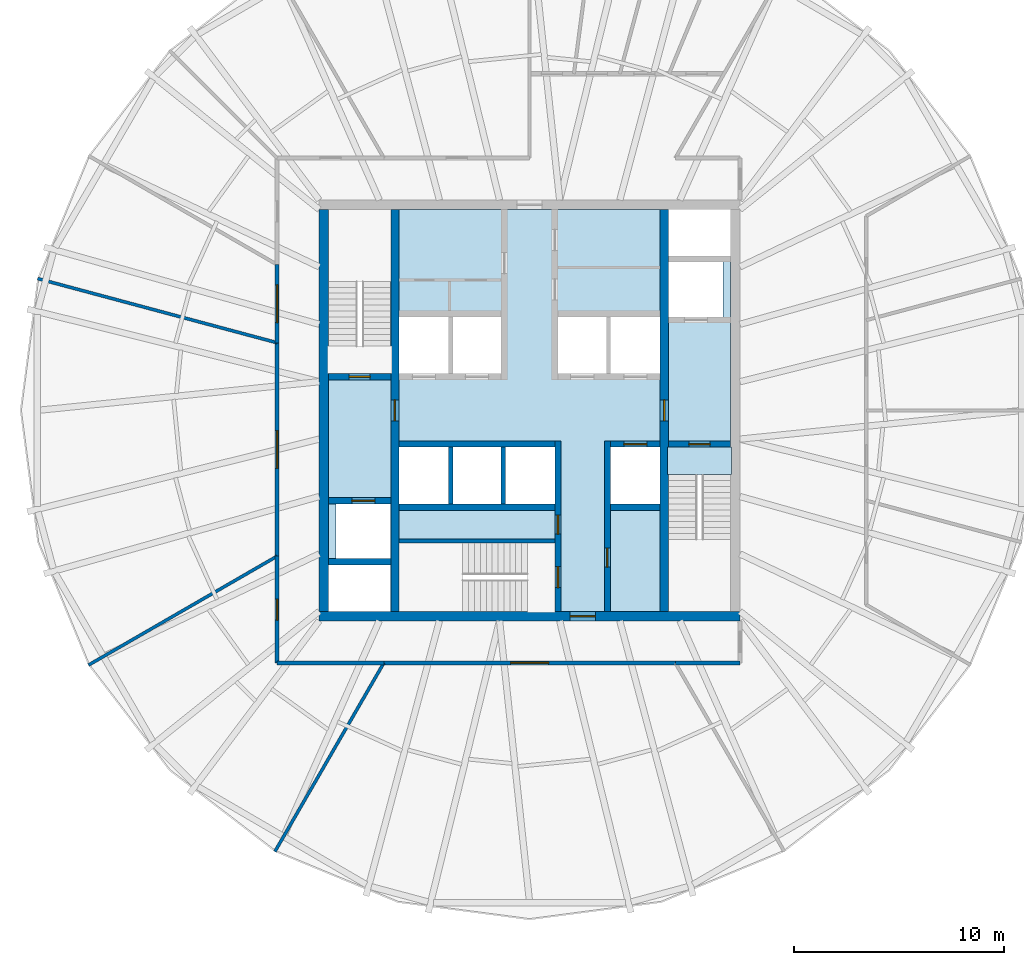
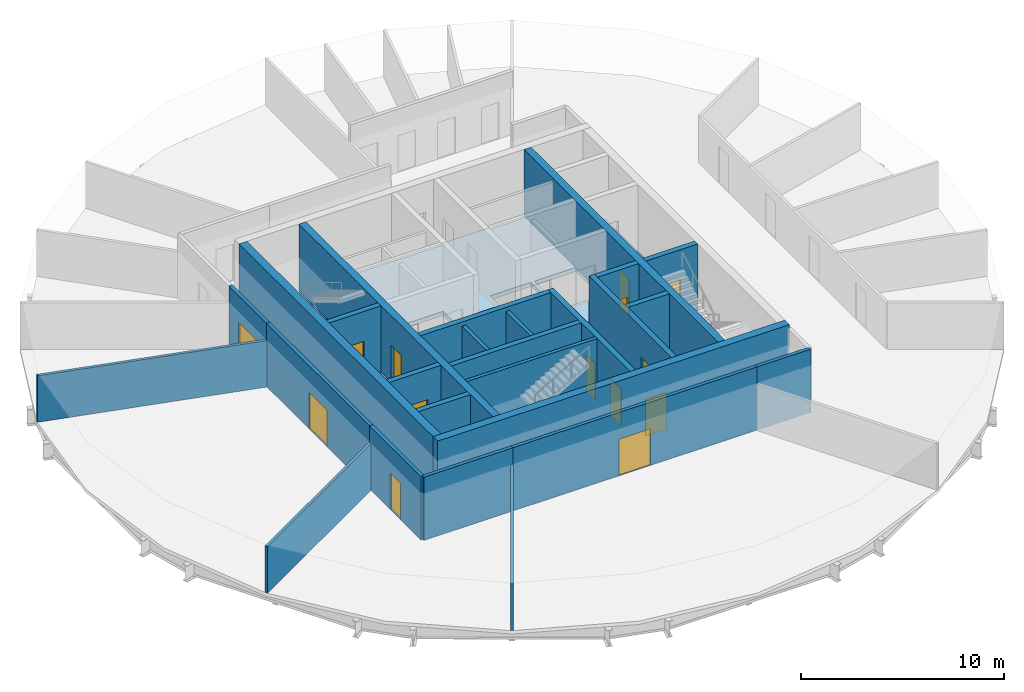
# One storey, part 3 of 6: 26 walls, 14 doors, 2 slabs, 14 openings.
"""IFC4 building model written with IfcOpenShell, lengths in metres."""

from ifc_helpers import new_model, si_unit, direction, frame, frame_2d, origin, place, context, subcontext, project, spatial, polyline, rectangle, outline, extrude, material, layer, layer_set, type_object, element, fill, save


model = new_model("IFC4")

# Units and contexts
model_context = context("Model", 3, precision=1e-05, world=origin(), true_north=direction((0.0, 1.0)))
body_context = subcontext(model_context, "Body", "Model", "MODEL_VIEW")
ifc_project = project(units=[si_unit("LENGTHUNIT", "METRE"), si_unit("AREAUNIT", "SQUARE_METRE"), si_unit("VOLUMEUNIT", "CUBIC_METRE"), si_unit("PLANEANGLEUNIT", "RADIAN"), si_unit("MASSUNIT", "GRAM", prefix="KILO")], contexts=[model_context])

# Site, building, storey
site_placement = place(None, origin())
site = spatial("IfcSite", under=ifc_project, at=site_placement, CompositionType="ELEMENT")
building_placement = place(site_placement, origin())
building = spatial("IfcBuilding", under=site, at=building_placement, Name="Golbaran Civic Tower", CompositionType="ELEMENT")
storey_placement = place(building_placement, frame((0.0, 0.0, 163.0)))
storey = spatial("IfcBuildingStorey", under=building, at=storey_placement, Name="L39", CompositionType="ELEMENT", Elevation=163.0)

# Slabs
ifc_material_1 = material(Name="Concrete C35/45", Category="concrete")
ifc_layer_1 = layer(ifc_material_1, 0.25, Name="Concrete C35/45")
ifc_layer_set_1 = layer_set([ifc_layer_1], Name="Concrete C35/45")
slab_type_1 = type_object("IfcSlabType", Name="CORE FLOOR SLAB 250", PredefinedType="FLOOR", material=ifc_layer_set_1)
slab_1_placement = place(storey_placement, frame((0.0, 0.0, -0.25)))
element("IfcSlab", 1, at=slab_1_placement, inside=storey, type_object=slab_type_1, Name="Core floor slab L39", PredefinedType="FLOOR", context=body_context, shape_type="SweptSolid", body=[
    extrude(outline(polyline([(6.60009765625, -1.75), (6.60009765625, -9.550048828125), (1.199951171875, -9.550048828125), (1.199951171875, -6.300048828125), (-6.199951171875, -6.300048828125), (-6.199951171875, -9.550048828125), (-6.60009765625, -9.550048828125), (-6.60009765625, -7.35009765625), (-9.550048828125, -7.35009765625), (-9.550048828125, 1.75), (-6.60009765625, 1.75), (-6.60009765625, 9.550048828125), (6.60009765625, 9.550048828125), (6.60009765625, 7.35009765625), (9.550048828125, 7.35009765625), (9.550048828125, -1.75), (6.60009765625, -1.75)]), holes=[polyline([(9.199951171875, 7.050048828125), (6.60009765625, 7.050048828125), (6.60009765625, 4.449951171875), (9.199951171875, 4.449951171875), (9.199951171875, 7.050048828125)]), polyline([(6.199951171875, -1.75), (3.85009765625, -1.75), (3.85009765625, -4.449951171875), (6.199951171875, -4.449951171875), (6.199951171875, -1.75)]), polyline([(6.199951171875, 4.449951171875), (3.85009765625, 4.449951171875), (3.85009765625, 1.75), (6.199951171875, 1.75), (6.199951171875, 4.449951171875)]), polyline([(3.64990234375, 4.449951171875), (1.35009765625, 4.449951171875), (1.35009765625, 1.75), (3.64990234375, 1.75), (3.64990234375, 4.449951171875)]), polyline([(1.199951171875, -1.75), (-1.14990234375, -1.75), (-1.14990234375, -4.449951171875), (1.199951171875, -4.449951171875), (1.199951171875, -1.75)]), polyline([(-1.35009765625, 4.449951171875), (-3.64990234375, 4.449951171875), (-3.64990234375, 1.75), (-1.35009765625, 1.75), (-1.35009765625, 4.449951171875)]), polyline([(-1.35009765625, -1.75), (-3.64990234375, -1.75), (-3.64990234375, -4.449951171875), (-1.35009765625, -4.449951171875), (-1.35009765625, -1.75)]), polyline([(-3.85009765625, -1.75), (-6.199951171875, -1.75), (-6.199951171875, -4.449951171875), (-3.85009765625, -4.449951171875), (-3.85009765625, -1.75)]), polyline([(-3.85009765625, 4.449951171875), (-6.199951171875, 4.449951171875), (-6.199951171875, 1.75), (-3.85009765625, 1.75), (-3.85009765625, 4.449951171875)]), polyline([(-6.60009765625, -4.449951171875), (-9.199951171875, -4.449951171875), (-9.199951171875, -7.050048828125), (-6.60009765625, -7.050048828125), (-6.60009765625, -4.449951171875)])]), origin(), (0.0, 0.0, 1.0), 0.25),
])
ifc_layer_2 = layer(ifc_material_1, 0.199951171875, Name="Concrete C35/45")
ifc_layer_set_2 = layer_set([ifc_layer_2], Name="Concrete C35/45")
slab_type_2 = type_object("IfcSlabType", Name="STAIR LANDING 200", PredefinedType="LANDING", material=ifc_layer_set_2)
slab_2_placement = place(storey_placement, frame((0.0, 0.0, -0.199951171875)))
element("IfcSlab", 2, at=slab_2_placement, inside=storey, type_object=slab_type_2, Name="Stair S2 floor landing L39", PredefinedType="LANDING", context=body_context, shape_type="SweptSolid", body=[
    extrude(outline(polyline([(9.60009765625, -1.75), (9.60009765625, -3.054931640625), (6.550048828125, -3.054931640625), (6.550048828125, -1.75), (9.60009765625, -1.75)])), origin(), (0.0, 0.0, 1.0), 0.199951171875),
])

# Wall, opening, door
ifc_material_2 = material(Name="Concrete C50/60", Category="concrete")
ifc_layer_3 = layer(ifc_material_2, 0.39990234375, Name="Concrete C50/60")
ifc_layer_set_3 = layer_set([ifc_layer_3], Name="Concrete C50/60")
wall_type_1 = type_object("IfcWallType", Name="CORE WALL CONCRETE 400", PredefinedType="SOLIDWALL", material=ifc_layer_set_3)
wall_1_placement = place(storey_placement, frame((-6.39990234375, -9.550048828125, 0.0), z_axis=(0.0, 0.0, 1.0), x_axis=(0.0, 1.0, 0.0)))
wall_1 = element("IfcWall", 3, at=wall_1_placement, inside=storey, type_object=wall_type_1, Name="Core wall IW L39", PredefinedType="SOLIDWALL", context=body_context, shape_type="SweptSolid", body=[
    extrude(rectangle(XDim=19.10009765625, YDim=0.39990234375, at=frame_2d((9.550048828125, 0.0))), origin(), (0.0, 0.0, 1.0), 4.0),
])
opening_1_placement = place(wall_1_placement, frame((9.050048828125, 0.0, 0.0)))
opening_1 = element("IfcOpeningElement", 4, at=opening_1_placement, cuts=wall_1, Name="Opening L39.FL1", PredefinedType="OPENING", context=body_context, shape_type="SweptSolid", body=[
    extrude(rectangle(XDim=1.0, YDim=2.199951171875, at=frame_2d((0.5, 1.10009765625))), frame((0.0, 0.2099609375, 0.0), z_axis=(0.0, -1.0, 0.0), x_axis=(1.0, 0.0, 0.0)), (0.0, 0.0, 1.0), 0.419921875),
])
ifc_material_3 = material(Name="Timber door set in steel frame", Category="steel")
door_type_1 = type_object("IfcDoorType", Name="STAIR DOOR 1000x2200", OperationType="SINGLE_SWING_LEFT", PredefinedType="DOOR", material=ifc_material_3)
door_1_placement = place(opening_1_placement, origin())
door_1 = element("IfcDoor", 5, at=door_1_placement, inside=storey, type_object=door_type_1, Name="Fire-fighting lobby FL1 door", OperationType="SINGLE_SWING_LEFT", OverallHeight=2.199951171875, OverallWidth=1.0, PredefinedType="DOOR", context=body_context, shape_type="SweptSolid", body=[
    extrude(rectangle(XDim=1.0, YDim=2.199951171875, at=frame_2d((0.5, 1.10009765625))), frame((0.0, 0.02490234375, 0.0), z_axis=(0.0, -1.0, 0.0), x_axis=(1.0, 0.0, 0.0)), (0.0, 0.0, 1.0), 0.050048828125),
])
fill(opening_1, door_1)

wall_2_placement = place(storey_placement, frame((6.39990234375, 9.550048828125, 0.0), z_axis=(0.0, 0.0, 1.0), x_axis=(0.0, -1.0, 0.0)))
wall_2 = element("IfcWall", 6, at=wall_2_placement, inside=storey, type_object=wall_type_1, Name="Core wall IE L39", PredefinedType="SOLIDWALL", context=body_context, shape_type="SweptSolid", body=[
    extrude(rectangle(XDim=19.10009765625, YDim=0.39990234375, at=frame_2d((9.550048828125, 0.0))), origin(), (0.0, 0.0, 1.0), 4.0),
])
opening_2_placement = place(wall_2_placement, frame((9.050048828125, 0.0, 0.0)))
opening_2 = element("IfcOpeningElement", 7, at=opening_2_placement, cuts=wall_2, Name="Opening L39.FL2", PredefinedType="OPENING", context=body_context, shape_type="SweptSolid", body=[
    extrude(rectangle(XDim=1.0, YDim=2.199951171875, at=frame_2d((0.5, 1.10009765625))), frame((0.0, 0.2099609375, 0.0), z_axis=(0.0, -1.0, 0.0), x_axis=(1.0, 0.0, 0.0)), (0.0, 0.0, 1.0), 0.419921875),
])
door_2_placement = place(opening_2_placement, origin())
door_2 = element("IfcDoor", 8, at=door_2_placement, inside=storey, type_object=door_type_1, Name="Fire-fighting lobby FL2 door", OperationType="SINGLE_SWING_RIGHT", OverallHeight=2.199951171875, OverallWidth=1.0, PredefinedType="DOOR", context=body_context, shape_type="SweptSolid", body=[
    extrude(rectangle(XDim=1.0, YDim=2.199951171875, at=frame_2d((0.5, 1.10009765625))), frame((0.0, 0.02490234375, 0.0), z_axis=(0.0, -1.0, 0.0), x_axis=(1.0, 0.0, 0.0)), (0.0, 0.0, 1.0), 0.050048828125),
])
fill(opening_2, door_2)

ifc_layer_4 = layer(ifc_material_2, 0.449951171875, Name="Concrete C50/60")
ifc_layer_set_4 = layer_set([ifc_layer_4], Name="Concrete C50/60")
wall_type_2 = type_object("IfcWallType", Name="CORE WALL CONCRETE 450", PredefinedType="SOLIDWALL", material=ifc_layer_set_4)
wall_3_placement = place(storey_placement, frame((10.0, -9.77490234375, 0.0), z_axis=(0.0, 0.0, 1.0), x_axis=(-1.0, 0.0, 0.0)))
wall_3 = element("IfcWall", 9, at=wall_3_placement, inside=storey, type_object=wall_type_2, Name="Core wall CS L39", PredefinedType="SOLIDWALL", context=body_context, shape_type="SweptSolid", body=[
    extrude(rectangle(XDim=20.0, YDim=0.449951171875, at=frame_2d((10.0, 0.0))), origin(), (0.0, 0.0, 1.0), 4.0),
])
opening_3_placement = place(wall_3_placement, frame((6.875, 0.0, 0.0)))
opening_3 = element("IfcOpeningElement", 10, at=opening_3_placement, cuts=wall_3, Name="Opening L39.CS", PredefinedType="OPENING", context=body_context, shape_type="SweptSolid", body=[
    extrude(rectangle(XDim=1.199951171875, YDim=2.199951171875, at=frame_2d((0.60009765625, 1.10009765625))), frame((0.0, 0.23486328125, 0.0), z_axis=(0.0, -1.0, 0.0), x_axis=(1.0, 0.0, 0.0)), (0.0, 0.0, 1.0), 0.469970703125),
])
door_type_2 = type_object("IfcDoorType", Name="CORE DOOR 1200x2200", OperationType="DOUBLE_DOOR_SINGLE_SWING", PredefinedType="DOOR", material=ifc_material_3)
door_3_placement = place(opening_3_placement, origin())
door_3 = element("IfcDoor", 11, at=door_3_placement, inside=storey, type_object=door_type_2, Name="Core door south", OperationType="DOUBLE_DOOR_SINGLE_SWING", OverallHeight=2.199951171875, OverallWidth=1.199951171875, PredefinedType="DOOR", context=body_context, shape_type="SweptSolid", body=[
    extrude(rectangle(XDim=1.199951171875, YDim=2.199951171875, at=frame_2d((0.60009765625, 1.10009765625))), frame((0.0, 0.02490234375, 0.0), z_axis=(0.0, -1.0, 0.0), x_axis=(1.0, 0.0, 0.0)), (0.0, 0.0, 1.0), 0.050048828125),
])
fill(opening_3, door_3)

# Wall
wall_4_placement = place(storey_placement, frame((-9.77490234375, 9.550048828125, 0.0), z_axis=(0.0, 0.0, 1.0), x_axis=(0.0, -1.0, 0.0)))
element("IfcWall", 12, at=wall_4_placement, inside=storey, type_object=wall_type_2, Name="Core wall CW L39", PredefinedType="SOLIDWALL", context=body_context, shape_type="SweptSolid", body=[
    extrude(rectangle(XDim=19.10009765625, YDim=0.449951171875, at=frame_2d((9.550048828125, 0.0))), origin(), (0.0, 0.0, 1.0), 4.0),
])

# Wall, opening, door
ifc_material_4 = material(Name="Gypsum board on steel studs, fire-rated", Category="steel")
ifc_layer_5 = layer(ifc_material_4, 0.199951171875, Name="Gypsum board on steel studs, fire-rated")
ifc_layer_set_5 = layer_set([ifc_layer_5], Name="Gypsum board on steel studs, fire-rated")
wall_type_3 = type_object("IfcWallType", Name="CORRIDOR WALL 200", PredefinedType="PARTITIONING", material=ifc_layer_set_5)
wall_5_placement = place(storey_placement, frame((-12.0, 6.92822265625, 0.0), z_axis=(0.0, 0.0, 1.0), x_axis=(0.0, -1.0, 0.0)))
wall_5 = element("IfcWall", 13, at=wall_5_placement, inside=storey, type_object=wall_type_3, Name="Corridor wall L39", PredefinedType="PARTITIONING", context=body_context, shape_type="SweptSolid", body=[
    extrude(rectangle(XDim=3.712890625, YDim=0.199951171875, at=frame_2d((1.8564453125, 0.0))), origin(), (0.0, 0.0, 1.0), 3.800048828125),
])
opening_4_placement = place(wall_5_placement, frame((0.956298828125, 0.0, 0.0)))
opening_4 = element("IfcOpeningElement", 14, at=opening_4_placement, cuts=wall_5, Name="Opening L39.12", PredefinedType="OPENING", context=body_context, shape_type="SweptSolid", body=[
    extrude(rectangle(XDim=1.800048828125, YDim=2.199951171875, at=frame_2d((0.89990234375, 1.10009765625))), frame((0.0, 0.10986328125, 0.0), z_axis=(0.0, -1.0, 0.0), x_axis=(1.0, 0.0, 0.0)), (0.0, 0.0, 1.0), 0.219970703125),
])
door_type_3 = type_object("IfcDoorType", Name="OFFICE DOUBLE DOOR 1800x2200", OperationType="DOUBLE_DOOR_SINGLE_SWING", PredefinedType="DOOR", material=ifc_material_3)
door_4_placement = place(opening_4_placement, origin())
door_4 = element("IfcDoor", 15, at=door_4_placement, inside=storey, type_object=door_type_3, Name="GIS and Mapping Office door L39", OperationType="DOUBLE_DOOR_SINGLE_SWING", OverallHeight=2.199951171875, OverallWidth=1.800048828125, PredefinedType="DOOR", context=body_context, shape_type="SweptSolid", body=[
    extrude(rectangle(XDim=1.800048828125, YDim=2.199951171875, at=frame_2d((0.89990234375, 1.10009765625))), frame((0.0, 0.02490234375, 0.0), z_axis=(0.0, -1.0, 0.0), x_axis=(1.0, 0.0, 0.0)), (0.0, 0.0, 1.0), 0.050048828125),
])
fill(opening_4, door_4)

wall_6_placement = place(storey_placement, frame((-12.0, 3.21533203125, 0.0), z_axis=(0.0, 0.0, 1.0), x_axis=(0.0, -1.0, 0.0)))
wall_6 = element("IfcWall", 16, at=wall_6_placement, inside=storey, type_object=wall_type_3, Name="Corridor wall L39", PredefinedType="PARTITIONING", context=body_context, shape_type="SweptSolid", body=[
    extrude(rectangle(XDim=10.1435546875, YDim=0.199951171875, at=frame_2d((5.07177734375, 0.0))), origin(), (0.0, 0.0, 1.0), 3.800048828125),
])
opening_5_placement = place(wall_6_placement, frame((4.171875, 0.0, 0.0)))
opening_5 = element("IfcOpeningElement", 17, at=opening_5_placement, cuts=wall_6, Name="Opening L39.13", PredefinedType="OPENING", context=body_context, shape_type="SweptSolid", body=[
    extrude(rectangle(XDim=1.800048828125, YDim=2.199951171875, at=frame_2d((0.89990234375, 1.10009765625))), frame((0.0, 0.10986328125, 0.0), z_axis=(0.0, -1.0, 0.0), x_axis=(1.0, 0.0, 0.0)), (0.0, 0.0, 1.0), 0.219970703125),
])
door_5_placement = place(opening_5_placement, origin())
door_5 = element("IfcDoor", 18, at=door_5_placement, inside=storey, type_object=door_type_3, Name="GIS and Mapping Office door L39", OperationType="DOUBLE_DOOR_SINGLE_SWING", OverallHeight=2.199951171875, OverallWidth=1.800048828125, PredefinedType="DOOR", context=body_context, shape_type="SweptSolid", body=[
    extrude(rectangle(XDim=1.800048828125, YDim=2.199951171875, at=frame_2d((0.89990234375, 1.10009765625))), frame((0.0, 0.02490234375, 0.0), z_axis=(0.0, -1.0, 0.0), x_axis=(1.0, 0.0, 0.0)), (0.0, 0.0, 1.0), 0.050048828125),
])
fill(opening_5, door_5)

wall_7_placement = place(storey_placement, frame((-12.0, -6.92822265625, 0.0), z_axis=(0.0, 0.0, 1.0), x_axis=(0.0, -1.0, 0.0)))
wall_7 = element("IfcWall", 19, at=wall_7_placement, inside=storey, type_object=wall_type_3, Name="Corridor wall L39", PredefinedType="PARTITIONING", context=body_context, shape_type="SweptSolid", body=[
    extrude(rectangle(XDim=5.07177734375, YDim=0.199951171875, at=frame_2d((2.535888671875, 0.0))), origin(), (0.0, 0.0, 1.0), 3.800048828125),
])
opening_6_placement = place(wall_7_placement, frame((2.035888671875, 0.0, 0.0)))
opening_6 = element("IfcOpeningElement", 20, at=opening_6_placement, cuts=wall_7, Name="Opening L39.14", PredefinedType="OPENING", context=body_context, shape_type="SweptSolid", body=[
    extrude(rectangle(XDim=1.0, YDim=2.199951171875, at=frame_2d((0.5, 1.10009765625))), frame((0.0, 0.10986328125, 0.0), z_axis=(0.0, -1.0, 0.0), x_axis=(1.0, 0.0, 0.0)), (0.0, 0.0, 1.0), 0.219970703125),
])
door_type_4 = type_object("IfcDoorType", Name="OFFICE DOOR 1000x2200", OperationType="SINGLE_SWING_LEFT", PredefinedType="DOOR", material=ifc_material_3)
door_6_placement = place(opening_6_placement, origin())
door_6 = element("IfcDoor", 21, at=door_6_placement, inside=storey, type_object=door_type_4, Name="Project Room door L39", OperationType="SINGLE_SWING_RIGHT", OverallHeight=2.199951171875, OverallWidth=1.0, PredefinedType="DOOR", context=body_context, shape_type="SweptSolid", body=[
    extrude(rectangle(XDim=1.0, YDim=2.199951171875, at=frame_2d((0.5, 1.10009765625))), frame((0.0, 0.02490234375, 0.0), z_axis=(0.0, -1.0, 0.0), x_axis=(1.0, 0.0, 0.0)), (0.0, 0.0, 1.0), 0.050048828125),
])
fill(opening_6, door_6)

# Wall
wall_8_placement = place(storey_placement, frame((-12.0, -12.0, 0.0), z_axis=(0.0, 0.0, 1.0), x_axis=(1.0, 0.0, 0.0)))
element("IfcWall", 22, at=wall_8_placement, inside=storey, type_object=wall_type_3, Name="Corridor wall L39", PredefinedType="PARTITIONING", context=body_context, shape_type="SweptSolid", body=[
    extrude(rectangle(XDim=5.07177734375, YDim=0.199951171875, at=frame_2d((2.535888671875, 0.0))), origin(), (0.0, 0.0, 1.0), 3.800048828125),
])

# Wall, opening, door
wall_9_placement = place(storey_placement, frame((-6.92822265625, -12.0, 0.0), z_axis=(0.0, 0.0, 1.0), x_axis=(1.0, 0.0, 0.0)))
wall_9 = element("IfcWall", 23, at=wall_9_placement, inside=storey, type_object=wall_type_3, Name="Corridor wall L39", PredefinedType="PARTITIONING", context=body_context, shape_type="SweptSolid", body=[
    extrude(rectangle(XDim=13.8564453125, YDim=0.199951171875, at=frame_2d((6.92822265625, 0.0))), origin(), (0.0, 0.0, 1.0), 3.800048828125),
])
opening_7_placement = place(wall_9_placement, frame((6.0283203125, 0.0, 0.0)))
opening_7 = element("IfcOpeningElement", 24, at=opening_7_placement, cuts=wall_9, Name="Opening L39.15", PredefinedType="OPENING", context=body_context, shape_type="SweptSolid", body=[
    extrude(rectangle(XDim=1.800048828125, YDim=2.199951171875, at=frame_2d((0.89990234375, 1.10009765625))), frame((0.0, 0.10986328125, 0.0), z_axis=(0.0, -1.0, 0.0), x_axis=(1.0, 0.0, 0.0)), (0.0, 0.0, 1.0), 0.219970703125),
])
door_7_placement = place(opening_7_placement, origin())
door_7 = element("IfcDoor", 25, at=door_7_placement, inside=storey, type_object=door_type_3, Name="Project Room door L39", OperationType="DOUBLE_DOOR_SINGLE_SWING", OverallHeight=2.199951171875, OverallWidth=1.800048828125, PredefinedType="DOOR", context=body_context, shape_type="SweptSolid", body=[
    extrude(rectangle(XDim=1.800048828125, YDim=2.199951171875, at=frame_2d((0.89990234375, 1.10009765625))), frame((0.0, 0.02490234375, 0.0), z_axis=(0.0, -1.0, 0.0), x_axis=(1.0, 0.0, 0.0)), (0.0, 0.0, 1.0), 0.050048828125),
])
fill(opening_7, door_7)

# Walls
wall_10_placement = place(storey_placement, frame((6.92822265625, -12.0, 0.0), z_axis=(0.0, 0.0, 1.0), x_axis=(1.0, 0.0, 0.0)))
element("IfcWall", 26, at=wall_10_placement, inside=storey, type_object=wall_type_3, Name="Corridor wall L39", PredefinedType="PARTITIONING", context=body_context, shape_type="SweptSolid", body=[
    extrude(rectangle(XDim=3.07177734375, YDim=0.199951171875, at=frame_2d((1.535888671875, 0.0))), origin(), (0.0, 0.0, 1.0), 3.800048828125),
])
ifc_material_5 = material(Name="Concrete block", Category="concrete")
ifc_layer_6 = layer(ifc_material_5, 0.199951171875, Name="Concrete block")
ifc_layer_set_6 = layer_set([ifc_layer_6], Name="Concrete block")
wall_type_4 = type_object("IfcWallType", Name="LIFT SEPARATOR WALL 200", PredefinedType="SOLIDWALL", material=ifc_layer_set_6)
for number, where, z_axis, x_axis, name in (
    (27, (-3.75, -1.75, 0.0), (0.0, 0.0, 1.0), (0.0, -1.0, 0.0), "Core partition SSW L39"),
    (28, (-1.25, -1.75, 0.0), (0.0, 0.0, 1.0), (0.0, -1.0, 0.0), "Core partition SSM L39"),
):
    element("IfcWall", number, at=place(storey_placement, frame(where, z_axis=z_axis, x_axis=x_axis)), inside=storey, type_object=wall_type_4, Name=name, PredefinedType="SOLIDWALL", context=body_context, shape_type="SweptSolid", body=[
        extrude(rectangle(XDim=2.699951171875, YDim=0.199951171875, at=frame_2d((1.35009765625, 0.0))), origin(), (0.0, 0.0, 1.0), 3.75),
    ])
ifc_material_6 = material(Name="Gypsum board on steel studs", Category="steel")
ifc_layer_7 = layer(ifc_material_6, 0.14990234375, Name="Gypsum board on steel studs")
ifc_layer_set_7 = layer_set([ifc_layer_7], Name="Gypsum board on steel studs")
wall_type_5 = type_object("IfcWallType", Name="OFFICE PARTITION 150", PredefinedType="PARTITIONING", material=ifc_layer_set_7)
wall_11_placement = place(storey_placement, frame((-12.0, 3.21533203125, 0.0), z_axis=(0.0, 0.0, 1.0), x_axis=(-0.965923829901, 0.25882649561, 0.0)))
element("IfcWall", 29, at=wall_11_placement, inside=storey, type_object=wall_type_5, Name="Partition 165 L39", PredefinedType="PARTITIONING", context=body_context, shape_type="SweptSolid", body=[
    extrude(rectangle(XDim=11.787841796875, YDim=0.14990234375, at=frame_2d((5.89404296875, 0.0))), origin(), (0.0, 0.0, 1.0), 2.7900390625),
])
for number, where, z_axis, x_axis, name in (
    (30, (-12.0, -6.92822265625, 0.0), (0.0, 0.0, 1.0), (-0.86602185845, -0.500006140648, 0.0), "Partition 210 L39"),
    (31, (-6.92822265625, -12.0, 0.0), (0.0, 0.0, 1.0), (-0.500006140648, -0.86602185845, 0.0), "Partition 240 L39"),
):
    element("IfcWall", number, at=place(storey_placement, frame(where, z_axis=z_axis, x_axis=x_axis)), inside=storey, type_object=wall_type_5, Name=name, PredefinedType="PARTITIONING", context=body_context, shape_type="SweptSolid", body=[
        extrude(rectangle(XDim=10.354736328125, YDim=0.14990234375, at=frame_2d((5.17724609375, 0.0))), origin(), (0.0, 0.0, 1.0), 2.7900390625),
    ])
ifc_layer_8 = layer(ifc_material_2, 0.199951171875, Name="Concrete C50/60")
ifc_layer_set_8 = layer_set([ifc_layer_8], Name="Concrete C50/60")
wall_type_6 = type_object("IfcWallType", Name="SHAFT WALL CONCRETE 200", PredefinedType="SOLIDWALL", material=ifc_layer_set_8)
wall_12_placement = place(storey_placement, frame((-6.199951171875, -6.199951171875, 0.0), z_axis=(0.0, 0.0, 1.0), x_axis=(1.0, 0.0, 0.0)))
element("IfcWall", 32, at=wall_12_placement, inside=storey, type_object=wall_type_6, Name="Core wall S3N L39", PredefinedType="SOLIDWALL", context=body_context, shape_type="SweptSolid", body=[
    extrude(rectangle(XDim=7.39990234375, YDim=0.199951171875, at=frame_2d((3.699951171875, 0.0))), origin(), (0.0, 0.0, 1.0), 4.0),
])
ifc_layer_9 = layer(ifc_material_2, 0.300048828125, Name="Concrete C50/60")
ifc_layer_set_9 = layer_set([ifc_layer_9], Name="Concrete C50/60")
wall_type_7 = type_object("IfcWallType", Name="SHAFT WALL CONCRETE 300", PredefinedType="SOLIDWALL", material=ifc_layer_set_9)
wall_13_placement = place(storey_placement, frame((-6.199951171875, -1.60009765625, 0.0), z_axis=(0.0, 0.0, 1.0), x_axis=(1.0, 0.0, 0.0)))
element("IfcWall", 33, at=wall_13_placement, inside=storey, type_object=wall_type_7, Name="Core wall FSW L39", PredefinedType="SOLIDWALL", context=body_context, shape_type="SweptSolid", body=[
    extrude(rectangle(XDim=7.39990234375, YDim=0.300048828125, at=frame_2d((3.699951171875, 0.0))), origin(), (0.0, 0.0, 1.0), 4.0),
])

# Wall, opening, door
wall_14_placement = place(storey_placement, frame((3.85009765625, -1.60009765625, 0.0), z_axis=(0.0, 0.0, 1.0), x_axis=(1.0, 0.0, 0.0)))
wall_14 = element("IfcWall", 34, at=wall_14_placement, inside=storey, type_object=wall_type_7, Name="Core wall FSE L39", PredefinedType="SOLIDWALL", context=body_context, shape_type="SweptSolid", body=[
    extrude(rectangle(XDim=2.349853515625, YDim=0.300048828125, at=frame_2d((1.1748046875, 0.0))), origin(), (0.0, 0.0, 1.0), 4.0),
])
opening_8_placement = place(wall_14_placement, frame((0.625, 0.0, 0.0)))
opening_8 = element("IfcOpeningElement", 35, at=opening_8_placement, cuts=wall_14, Name="Opening L39.LD-V1", PredefinedType="OPENING", context=body_context, shape_type="SweptSolid", body=[
    extrude(rectangle(XDim=1.10009765625, YDim=2.199951171875, at=frame_2d((0.550048828125, 1.10009765625))), frame((0.0, 0.159912109375, 0.0), z_axis=(0.0, -1.0, 0.0), x_axis=(1.0, 0.0, 0.0)), (0.0, 0.0, 1.0), 0.320068359375),
])
ifc_material_7 = material(Name="Stainless steel", Category="steel")
door_type_5 = type_object("IfcDoorType", Name="LIFT LANDING DOOR 1100x2200", OperationType="SLIDING_TO_LEFT", PredefinedType="DOOR", material=ifc_material_7)
door_8_placement = place(opening_8_placement, origin())
door_8 = element("IfcDoor", 36, at=door_8_placement, inside=storey, type_object=door_type_5, Name="Lift landing door V1", OperationType="SLIDING_TO_LEFT", OverallHeight=2.199951171875, OverallWidth=1.10009765625, PredefinedType="DOOR", context=body_context, shape_type="SweptSolid", body=[
    extrude(rectangle(XDim=1.10009765625, YDim=2.199951171875, at=frame_2d((0.550048828125, 1.10009765625))), frame((0.0, 0.02490234375, 0.0), z_axis=(0.0, -1.0, 0.0), x_axis=(1.0, 0.0, 0.0)), (0.0, 0.0, 1.0), 0.050048828125),
])
fill(opening_8, door_8)

# Walls
wall_15_placement = place(storey_placement, frame((-6.199951171875, -4.60009765625, 0.0), z_axis=(0.0, 0.0, 1.0), x_axis=(1.0, 0.0, 0.0)))
element("IfcWall", 37, at=wall_15_placement, inside=storey, type_object=wall_type_7, Name="Core wall BSW L39", PredefinedType="SOLIDWALL", context=body_context, shape_type="SweptSolid", body=[
    extrude(rectangle(XDim=7.39990234375, YDim=0.300048828125, at=frame_2d((3.699951171875, 0.0))), origin(), (0.0, 0.0, 1.0), 4.0),
])
wall_16_placement = place(storey_placement, frame((3.85009765625, -4.60009765625, 0.0), z_axis=(0.0, 0.0, 1.0), x_axis=(1.0, 0.0, 0.0)))
element("IfcWall", 38, at=wall_16_placement, inside=storey, type_object=wall_type_7, Name="Core wall BSE L39", PredefinedType="SOLIDWALL", context=body_context, shape_type="SweptSolid", body=[
    extrude(rectangle(XDim=2.349853515625, YDim=0.300048828125, at=frame_2d((1.1748046875, 0.0))), origin(), (0.0, 0.0, 1.0), 4.0),
])

# Wall, openings, doors
wall_17_placement = place(storey_placement, frame((1.35009765625, -1.449951171875, 0.0), z_axis=(0.0, 0.0, 1.0), x_axis=(0.0, -1.0, 0.0)))
wall_17 = element("IfcWall", 39, at=wall_17_placement, inside=storey, type_object=wall_type_7, Name="Core wall PSW L39", PredefinedType="SOLIDWALL", context=body_context, shape_type="SweptSolid", body=[
    extrude(rectangle(XDim=8.10009765625, YDim=0.300048828125, at=frame_2d((4.050048828125, 0.0))), origin(), (0.0, 0.0, 1.0), 4.0),
])
opening_9_placement = place(wall_17_placement, frame((5.97509765625, 0.0, 0.0)))
opening_9 = element("IfcOpeningElement", 40, at=opening_9_placement, cuts=wall_17, Name="Opening L39.S3", PredefinedType="OPENING", context=body_context, shape_type="SweptSolid", body=[
    extrude(rectangle(XDim=1.0, YDim=2.199951171875, at=frame_2d((0.5, 1.10009765625))), frame((0.0, 0.159912109375, 0.0), z_axis=(0.0, -1.0, 0.0), x_axis=(1.0, 0.0, 0.0)), (0.0, 0.0, 1.0), 0.320068359375),
])
opening_10_placement = place(wall_17_placement, frame((3.52490234375, 0.0, 0.0)))
opening_10 = element("IfcOpeningElement", 41, at=opening_10_placement, cuts=wall_17, Name="Opening L39.RE", PredefinedType="OPENING", context=body_context, shape_type="SweptSolid", body=[
    extrude(rectangle(XDim=0.89990234375, YDim=2.199951171875, at=frame_2d((0.449951171875, 1.10009765625))), frame((0.0, 0.159912109375, 0.0), z_axis=(0.0, -1.0, 0.0), x_axis=(1.0, 0.0, 0.0)), (0.0, 0.0, 1.0), 0.320068359375),
])
door_type_6 = type_object("IfcDoorType", Name="RISER DOOR 900x2200", OperationType="SINGLE_SWING_LEFT", PredefinedType="DOOR", material=ifc_material_3)
door_9_placement = place(opening_10_placement, origin())
door_9 = element("IfcDoor", 42, at=door_9_placement, inside=storey, type_object=door_type_6, Name="Electrical riser door", OperationType="SINGLE_SWING_LEFT", OverallHeight=2.199951171875, OverallWidth=0.89990234375, PredefinedType="DOOR", context=body_context, shape_type="SweptSolid", body=[
    extrude(rectangle(XDim=0.89990234375, YDim=2.199951171875, at=frame_2d((0.449951171875, 1.10009765625))), frame((0.0, 0.02490234375, 0.0), z_axis=(0.0, -1.0, 0.0), x_axis=(1.0, 0.0, 0.0)), (0.0, 0.0, 1.0), 0.050048828125),
])
fill(opening_10, door_9)
door_10_placement = place(opening_9_placement, origin())
door_10 = element("IfcDoor", 43, at=door_10_placement, inside=storey, type_object=door_type_1, Name="Stair S3 door", OperationType="SINGLE_SWING_RIGHT", OverallHeight=2.199951171875, OverallWidth=1.0, PredefinedType="DOOR", context=body_context, shape_type="SweptSolid", body=[
    extrude(rectangle(XDim=1.0, YDim=2.199951171875, at=frame_2d((0.5, 1.10009765625))), frame((0.0, 0.02490234375, 0.0), z_axis=(0.0, -1.0, 0.0), x_axis=(1.0, 0.0, 0.0)), (0.0, 0.0, 1.0), 0.050048828125),
])
fill(opening_9, door_10)

# Wall, opening, door
wall_18_placement = place(storey_placement, frame((3.699951171875, -1.449951171875, 0.0), z_axis=(0.0, 0.0, 1.0), x_axis=(0.0, -1.0, 0.0)))
wall_18 = element("IfcWall", 44, at=wall_18_placement, inside=storey, type_object=wall_type_7, Name="Core wall PSE L39", PredefinedType="SOLIDWALL", context=body_context, shape_type="SweptSolid", body=[
    extrude(rectangle(XDim=8.10009765625, YDim=0.300048828125, at=frame_2d((4.050048828125, 0.0))), origin(), (0.0, 0.0, 1.0), 4.0),
])
opening_11_placement = place(wall_18_placement, frame((5.10009765625, 0.0, 0.0)))
opening_11 = element("IfcOpeningElement", 45, at=opening_11_placement, cuts=wall_18, Name="Opening L39.RM", PredefinedType="OPENING", context=body_context, shape_type="SweptSolid", body=[
    extrude(rectangle(XDim=0.89990234375, YDim=2.199951171875, at=frame_2d((0.449951171875, 1.10009765625))), frame((0.0, 0.159912109375, 0.0), z_axis=(0.0, -1.0, 0.0), x_axis=(1.0, 0.0, 0.0)), (0.0, 0.0, 1.0), 0.320068359375),
])
door_11_placement = place(opening_11_placement, origin())
door_11 = element("IfcDoor", 46, at=door_11_placement, inside=storey, type_object=door_type_6, Name="Mechanical riser door", OperationType="SINGLE_SWING_RIGHT", OverallHeight=2.199951171875, OverallWidth=0.89990234375, PredefinedType="DOOR", context=body_context, shape_type="SweptSolid", body=[
    extrude(rectangle(XDim=0.89990234375, YDim=2.199951171875, at=frame_2d((0.449951171875, 1.10009765625))), frame((0.0, 0.02490234375, 0.0), z_axis=(0.0, -1.0, 0.0), x_axis=(1.0, 0.0, 0.0)), (0.0, 0.0, 1.0), 0.050048828125),
])
fill(opening_11, door_11)

wall_19_placement = place(storey_placement, frame((-9.550048828125, 1.60009765625, 0.0), z_axis=(0.0, 0.0, 1.0), x_axis=(1.0, 0.0, 0.0)))
wall_19 = element("IfcWall", 47, at=wall_19_placement, inside=storey, type_object=wall_type_7, Name="Core wall XW1 L39", PredefinedType="SOLIDWALL", context=body_context, shape_type="SweptSolid", body=[
    extrude(rectangle(XDim=2.949951171875, YDim=0.300048828125, at=frame_2d((1.47509765625, 0.0))), origin(), (0.0, 0.0, 1.0), 4.0),
])
opening_12_placement = place(wall_19_placement, frame((0.97509765625, 0.0, 0.0)))
opening_12 = element("IfcOpeningElement", 48, at=opening_12_placement, cuts=wall_19, Name="Opening L39.S1", PredefinedType="OPENING", context=body_context, shape_type="SweptSolid", body=[
    extrude(rectangle(XDim=1.0, YDim=2.199951171875, at=frame_2d((0.5, 1.10009765625))), frame((0.0, 0.159912109375, 0.0), z_axis=(0.0, -1.0, 0.0), x_axis=(1.0, 0.0, 0.0)), (0.0, 0.0, 1.0), 0.320068359375),
])
door_12_placement = place(opening_12_placement, origin())
door_12 = element("IfcDoor", 49, at=door_12_placement, inside=storey, type_object=door_type_1, Name="Stair S1 door", OperationType="SINGLE_SWING_LEFT", OverallHeight=2.199951171875, OverallWidth=1.0, PredefinedType="DOOR", context=body_context, shape_type="SweptSolid", body=[
    extrude(rectangle(XDim=1.0, YDim=2.199951171875, at=frame_2d((0.5, 1.10009765625))), frame((0.0, 0.02490234375, 0.0), z_axis=(0.0, -1.0, 0.0), x_axis=(1.0, 0.0, 0.0)), (0.0, 0.0, 1.0), 0.050048828125),
])
fill(opening_12, door_12)

wall_20_placement = place(storey_placement, frame((6.60009765625, -1.60009765625, 0.0), z_axis=(0.0, 0.0, 1.0), x_axis=(1.0, 0.0, 0.0)))
wall_20 = element("IfcWall", 50, at=wall_20_placement, inside=storey, type_object=wall_type_7, Name="Core wall XE1 L39", PredefinedType="SOLIDWALL", context=body_context, shape_type="SweptSolid", body=[
    extrude(rectangle(XDim=2.949951171875, YDim=0.300048828125, at=frame_2d((1.47509765625, 0.0))), origin(), (0.0, 0.0, 1.0), 4.0),
])
opening_13_placement = place(wall_20_placement, frame((0.97509765625, 0.0, 0.0)))
opening_13 = element("IfcOpeningElement", 51, at=opening_13_placement, cuts=wall_20, Name="Opening L39.S2", PredefinedType="OPENING", context=body_context, shape_type="SweptSolid", body=[
    extrude(rectangle(XDim=1.0, YDim=2.199951171875, at=frame_2d((0.5, 1.10009765625))), frame((0.0, 0.159912109375, 0.0), z_axis=(0.0, -1.0, 0.0), x_axis=(1.0, 0.0, 0.0)), (0.0, 0.0, 1.0), 0.320068359375),
])
door_13_placement = place(opening_13_placement, origin())
door_13 = element("IfcDoor", 52, at=door_13_placement, inside=storey, type_object=door_type_1, Name="Stair S2 door", OperationType="SINGLE_SWING_LEFT", OverallHeight=2.199951171875, OverallWidth=1.0, PredefinedType="DOOR", context=body_context, shape_type="SweptSolid", body=[
    extrude(rectangle(XDim=1.0, YDim=2.199951171875, at=frame_2d((0.5, 1.10009765625))), frame((0.0, 0.02490234375, 0.0), z_axis=(0.0, -1.0, 0.0), x_axis=(1.0, 0.0, 0.0)), (0.0, 0.0, 1.0), 0.050048828125),
])
fill(opening_13, door_13)

wall_21_placement = place(storey_placement, frame((-9.550048828125, -4.300048828125, 0.0), z_axis=(0.0, 0.0, 1.0), x_axis=(1.0, 0.0, 0.0)))
wall_21 = element("IfcWall", 53, at=wall_21_placement, inside=storey, type_object=wall_type_7, Name="Core wall XW2 L39", PredefinedType="SOLIDWALL", context=body_context, shape_type="SweptSolid", body=[
    extrude(rectangle(XDim=2.949951171875, YDim=0.300048828125, at=frame_2d((1.47509765625, 0.0))), origin(), (0.0, 0.0, 1.0), 4.0),
])
opening_14_placement = place(wall_21_placement, frame((1.10009765625, 0.0, 0.0)))
opening_14 = element("IfcOpeningElement", 54, at=opening_14_placement, cuts=wall_21, Name="Opening L39.LD-F1", PredefinedType="OPENING", context=body_context, shape_type="SweptSolid", body=[
    extrude(rectangle(XDim=1.10009765625, YDim=2.199951171875, at=frame_2d((0.550048828125, 1.10009765625))), frame((0.0, 0.159912109375, 0.0), z_axis=(0.0, -1.0, 0.0), x_axis=(1.0, 0.0, 0.0)), (0.0, 0.0, 1.0), 0.320068359375),
])
door_14_placement = place(opening_14_placement, origin())
door_14 = element("IfcDoor", 55, at=door_14_placement, inside=storey, type_object=door_type_5, Name="Lift landing door F1", OperationType="SLIDING_TO_LEFT", OverallHeight=2.199951171875, OverallWidth=1.10009765625, PredefinedType="DOOR", context=body_context, shape_type="SweptSolid", body=[
    extrude(rectangle(XDim=1.10009765625, YDim=2.199951171875, at=frame_2d((0.550048828125, 1.10009765625))), frame((0.0, 0.02490234375, 0.0), z_axis=(0.0, -1.0, 0.0), x_axis=(1.0, 0.0, 0.0)), (0.0, 0.0, 1.0), 0.050048828125),
])
fill(opening_14, door_14)

# Wall
wall_22_placement = place(storey_placement, frame((-9.550048828125, -7.199951171875, 0.0), z_axis=(0.0, 0.0, 1.0), x_axis=(1.0, 0.0, 0.0)))
element("IfcWall", 56, at=wall_22_placement, inside=storey, type_object=wall_type_7, Name="Core wall XW3 L39", PredefinedType="SOLIDWALL", context=body_context, shape_type="SweptSolid", body=[
    extrude(rectangle(XDim=2.949951171875, YDim=0.300048828125, at=frame_2d((1.47509765625, 0.0))), origin(), (0.0, 0.0, 1.0), 4.0),
])

save(model, "model.ifc")
